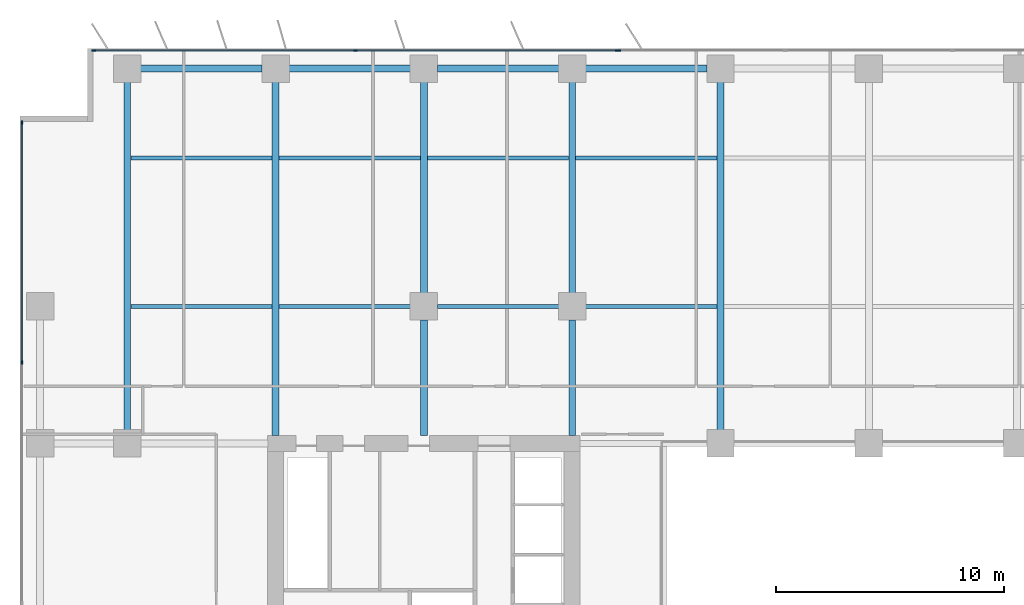
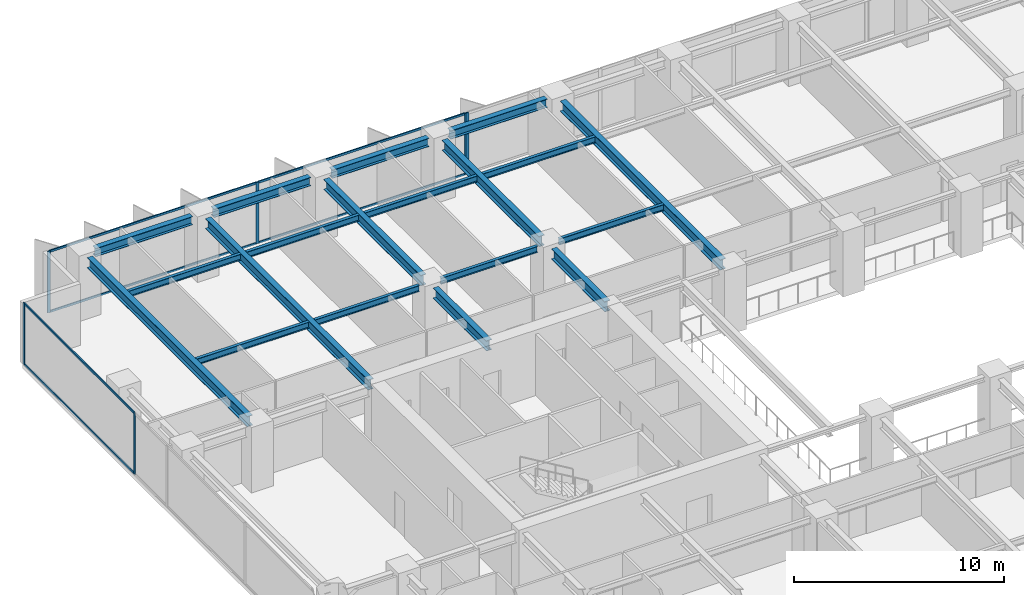
# One storey, part 7 of 20: 19 beams, 12 members, 3 elements without a shape of their own.
"""IFC4 building model written with IfcOpenShell, lengths in metres."""

import ifcopenshell
import ifcopenshell.guid

model = None  # the IFC model being written
_history = None  # IfcOwnerHistory: only IFC2X3 demands one
_inside = {}  # id of a spatial element -> (the spatial element, [elements in it])
_under = {}  # id of a project, library or spatial element -> (it, [spatial elements below it])
_declared = {}  # id of a project -> (the project, [libraries it declares])
_typed = {}  # id of a type object -> (the type object, [elements of that type])
_made_of = {}  # id of a material, layer set ... -> (it, [elements and type objects made of it])


def new_model(schema):
    """Start an empty IFC model of exactly this schema.

    Asked for "IFC4X3", IfcOpenShell would pick the latest addendum, in which some entities
    have other attributes; the version numbers below select the first issue.
    IFC2X3 requires an IfcOwnerHistory on every rooted entity: one is made here for all.
    """
    global model, _history
    if schema == "IFC4X3":
        model = ifcopenshell.file(schema_version=(4, 3, 0, 0))
    else:
        model = ifcopenshell.file(schema=schema)
    _inside.clear()
    _under.clear()
    _declared.clear()
    _typed.clear()
    _made_of.clear()
    _history = None
    if model.schema == "IFC2X3":
        org = make("IfcOrganization", Name="unknown")
        user = make(
            "IfcPersonAndOrganization",
            ThePerson=make("IfcPerson", FamilyName="unknown"),
            TheOrganization=org,
        )
        app = make(
            "IfcApplication",
            ApplicationDeveloper=org,
            Version="unknown",
            ApplicationFullName="unknown",
            ApplicationIdentifier="unknown",
        )
        _history = make(
            "IfcOwnerHistory",
            OwningUser=user,
            OwningApplication=app,
            ChangeAction="ADDED",
            CreationDate=0,
        )
    return model


def make(cls, **values):
    """One entity of the class cls with the attributes given. An attribute that is None is left unset."""
    return model.create_entity(
        cls, **{name: value for name, value in values.items() if value is not None}
    )


def rooted(cls, **values):
    """An entity with a GlobalId (a new one), such as an element, a storey or a relation."""
    return make(cls, GlobalId=ifcopenshell.guid.new(), OwnerHistory=_history, **values)


def si_unit(unit_type, name, prefix=None):
    """IfcSIUnit, for example si_unit("LENGTHUNIT", "METRE", prefix="MILLI")."""
    return make("IfcSIUnit", UnitType=unit_type, Prefix=prefix, Name=name)


def assignment(units):
    """IfcUnitAssignment: the units of a project."""
    return None if units is None else make("IfcUnitAssignment", Units=units)


def point(xyz):
    """IfcCartesianPoint."""
    return None if xyz is None else make("IfcCartesianPoint", Coordinates=xyz)


def direction(xyz):
    """IfcDirection."""
    return None if xyz is None else make("IfcDirection", DirectionRatios=xyz)


def frame(location, z_axis=None, x_axis=None):
    """IfcAxis2Placement3D, a coordinate frame: its origin and axes. An axis left out is left unset."""
    return make(
        "IfcAxis2Placement3D",
        Location=point(location),
        Axis=direction(z_axis),
        RefDirection=direction(x_axis),
    )


def frame_2d(location, x_axis=None):
    """IfcAxis2Placement2D, a coordinate frame in the plane: its origin and x axis."""
    return make(
        "IfcAxis2Placement2D", Location=point(location), RefDirection=direction(x_axis)
    )


def origin():
    """The frame at (0, 0, 0) with its axes left unset."""
    return frame((0.0, 0.0, 0.0))


def origin_2d():
    """The frame at (0, 0) in the plane with its x axis left unset."""
    return frame_2d((0.0, 0.0))


def place(relative_to, where):
    """IfcLocalPlacement: puts the frame where relative to a parent placement (None: the world)."""
    return make(
        "IfcLocalPlacement", PlacementRelTo=relative_to, RelativePlacement=where
    )


def context(
    kind, dimensions, precision=None, world=None, true_north=None, identifier=None
):
    """IfcGeometricRepresentationContext, for example the 3D "Model" context."""
    return make(
        "IfcGeometricRepresentationContext",
        ContextIdentifier=identifier,
        ContextType=kind,
        CoordinateSpaceDimension=dimensions,
        Precision=precision,
        WorldCoordinateSystem=world,
        TrueNorth=true_north,
    )


def subcontext(parent, identifier, kind, view, scale=None):
    """IfcGeometricRepresentationSubContext, for example "Body" below "Model"."""
    return make(
        "IfcGeometricRepresentationSubContext",
        ContextIdentifier=identifier,
        ContextType=kind,
        ParentContext=parent,
        TargetScale=scale,
        TargetView=view,
    )


def project(units=None, contexts=None):
    """IfcProject with its units and contexts."""
    return rooted(
        "IfcProject",
        Name="project",
        RepresentationContexts=contexts,
        UnitsInContext=assignment(units),
    )


def spatial(cls, under=None, at=None, **own):
    """A site, building, storey or space (cls), placed at a placement, below another one or the project."""
    s = rooted(cls, ObjectPlacement=at, **own)
    if under is not None:
        _under.setdefault(under.id(), (under, []))[1].append(s)
    return s


def profile(cls, at=None, kind="AREA", **sizes):
    """A parametric profile (cls). Its sizes go by their IFC names, for example OverallWidth=200.0."""
    return make(cls, ProfileType=kind, Position=at, **sizes)


def rectangle(**sizes):
    """IfcRectangleProfileDef."""
    return profile("IfcRectangleProfileDef", **sizes)


def i_section(**sizes):
    """IfcIShapeProfileDef."""
    return profile("IfcIShapeProfileDef", **sizes)


def extrude(swept, where, along, depth):
    """IfcExtrudedAreaSolid: the profile swept, set in the frame where, extruded along a direction by depth."""
    return make(
        "IfcExtrudedAreaSolid",
        SweptArea=swept,
        Position=where,
        ExtrudedDirection=direction(along),
        Depth=depth,
    )


def shape(context_of_items, identifier, shape_type, items):
    """IfcShapeRepresentation: the items that make up one representation, for example the "Body"."""
    return make(
        "IfcShapeRepresentation",
        ContextOfItems=context_of_items,
        RepresentationIdentifier=identifier,
        RepresentationType=shape_type,
        Items=items,
    )


def material(Name=None, Category=None):
    """IfcMaterial."""
    return make("IfcMaterial", Name=Name, Category=Category)


def layer(
    of_material, thickness, ventilated=None, Name=None, Category=None, Priority=None
):
    """IfcMaterialLayer: one layer of a wall or slab, of a material (None: an air gap)."""
    return make(
        "IfcMaterialLayer",
        Material=of_material,
        LayerThickness=thickness,
        IsVentilated=ventilated,
        Name=Name,
        Category=Category,
        Priority=Priority,
    )


def layer_set(layers, Name=None):
    """IfcMaterialLayerSet."""
    return make("IfcMaterialLayerSet", MaterialLayers=layers, LayerSetName=Name)


def material_profile(
    of_material, cross_section, Name=None, Category=None, Priority=None
):
    """IfcMaterialProfile: a cross section and its material."""
    return make(
        "IfcMaterialProfile",
        Name=Name,
        Material=of_material,
        Profile=cross_section,
        Priority=Priority,
        Category=Category,
    )


def profile_set(profiles, Name=None, composite=None):
    """IfcMaterialProfileSet."""
    return make(
        "IfcMaterialProfileSet",
        Name=Name,
        MaterialProfiles=profiles,
        CompositeProfile=composite,
    )


def made_of(thing, what):
    """Note that an element or type object is made of a material, layer set ...; save() writes the relation."""
    if what is not None:
        _made_of.setdefault(what.id(), (what, []))[1].append(thing)
    return thing


def type_object(cls, material=None, **own):
    """A type object (cls), such as IfcWallType, which elements share."""
    return made_of(rooted(cls, **own), material)


def element(
    cls,
    number,
    at=None,
    inside=None,
    cuts=None,
    type_object=None,
    material=None,
    context=None,
    identifier="Body",
    shape_type=None,
    held_by="IfcProductDefinitionShape",
    body=None,
    shapes=None,
    **own,
):
    """One element of the class cls, such as IfcWall. Its Tag is "e" and its number.

    at: its placement. inside: the storey or other place that contains it. cuts: it is an
    opening in that element (IfcRelVoidsElement). A single representation is given by context,
    identifier, shape_type and body (its items); several are given by shapes. held_by: the class
    of the entity that holds the representations. save() writes the other relations.
    """
    e = rooted(cls, Tag="e%d" % number, ObjectPlacement=at, **own)
    if body is not None:
        shapes = [shape(context, identifier, shape_type, body)]
    if shapes is not None:
        e.Representation = make(held_by, Representations=shapes)
    if inside is not None:
        _inside.setdefault(inside.id(), (inside, []))[1].append(e)
    if cuts is not None:
        rooted(
            "IfcRelVoidsElement", RelatingBuildingElement=cuts, RelatedOpeningElement=e
        )
    if type_object is not None:
        _typed.setdefault(type_object.id(), (type_object, []))[1].append(e)
    return made_of(e, material)


def aggregate(whole, parts):
    """IfcRelAggregates: a whole, such as a stair, and the parts it consists of."""
    return rooted("IfcRelAggregates", RelatingObject=whole, RelatedObjects=parts)


def save(model, path):
    """Write the relations noted so far, then the file.

    IfcRelAggregates (storeys below a building ...), IfcRelContainedInSpatialStructure (elements
    in a storey), IfcRelDefinesByType, IfcRelAssociatesMaterial and IfcRelDeclares: one each for
    every whole, place, type object, material and project.
    """
    for whole, parts in _under.values():
        aggregate(whole, parts)
    for where, things in _inside.values():
        rooted(
            "IfcRelContainedInSpatialStructure",
            RelatedElements=things,
            RelatingStructure=where,
        )
    for kind, things in _typed.values():
        rooted("IfcRelDefinesByType", RelatedObjects=things, RelatingType=kind)
    for what, things in _made_of.values():
        rooted("IfcRelAssociatesMaterial", RelatedObjects=things, RelatingMaterial=what)
    for by, libraries in _declared.values():
        rooted("IfcRelDeclares", RelatingContext=by, RelatedDefinitions=libraries)
    model.write(path)


model = new_model("IFC4")

# Units and contexts
model_context = context("Model", 3, precision=1e-05, world=origin(), true_north=direction((0.0, 1.0)))
body_context = subcontext(model_context, "Body", "Model", "MODEL_VIEW")
ifc_project = project(units=[si_unit("LENGTHUNIT", "METRE"), si_unit("AREAUNIT", "SQUARE_METRE"), si_unit("VOLUMEUNIT", "CUBIC_METRE"), si_unit("PLANEANGLEUNIT", "RADIAN"), si_unit("MASSUNIT", "GRAM", prefix="KILO")], contexts=[model_context])

# Site, building, storey
site_placement = place(None, origin())
site = spatial("IfcSite", under=ifc_project, at=site_placement, CompositionType="ELEMENT")
building_placement = place(site_placement, origin())
building = spatial("IfcBuilding", under=site, at=building_placement, Name="Putna Gate Headquarters", CompositionType="ELEMENT")
storey_placement = place(building_placement, frame((0.0, 0.0, 131.60009765625)))
storey = spatial("IfcBuildingStorey", under=building, at=storey_placement, Name="L32", CompositionType="ELEMENT", Elevation=131.60009765625)

# Beams
ifc_material_1 = material(Name="Steel S355J2", Category="steel")
ifc_material_profile_1 = material_profile(ifc_material_1, i_section(OverallWidth=0.300048828125, OverallDepth=0.60009765625, WebThickness=0.015380859375, FlangeThickness=0.030029296875, at=origin_2d()), Name="Steel S355J2")
ifc_profile_set_1 = profile_set([ifc_material_profile_1], Name="Steel S355J2")
beam_type_1 = type_object("IfcBeamType", Name="BM-GIRD-Z2-HEB600", PredefinedType="USERDEFINED", material=ifc_profile_set_1)
beam_1_placement = place(storey_placement, frame((6.5, 33.587890625, 3.264892578125), z_axis=(0.0, 1.0, 0.0), x_axis=(-1.0, 0.0, 0.0)))
element("IfcBeam", 1, at=beam_1_placement, inside=storey, type_object=beam_type_1, Name="L32 North Primary Girder X6", ObjectType="GIRDER", PredefinedType="USERDEFINED", context=body_context, shape_type="SweptSolid", body=[
    extrude(i_section(OverallWidth=0.300048828125, OverallDepth=0.60009765625, WebThickness=0.015380859375, FlangeThickness=0.030029296875, at=origin_2d()), origin(), (0.0, 0.0, 1.0), 15.244140625),
])
beam_2_placement = place(storey_placement, frame((13.0, 33.3349609375, 3.264892578125), z_axis=(0.0, 1.0, 0.0), x_axis=(-1.0, 0.0, 0.0)))
element("IfcBeam", 2, at=beam_2_placement, inside=storey, type_object=beam_type_1, Name="L32 North Primary Girder X13", ObjectType="GIRDER", PredefinedType="USERDEFINED", context=body_context, shape_type="SweptSolid", body=[
    extrude(i_section(OverallWidth=0.300048828125, OverallDepth=0.60009765625, WebThickness=0.015380859375, FlangeThickness=0.030029296875, at=origin_2d()), origin(), (0.0, 0.0, 1.0), 15.4970703125),
])
beam_3_placement = place(storey_placement, frame((19.5, 33.3349609375, 3.264892578125), z_axis=(0.0, 1.0, 0.0), x_axis=(-1.0, 0.0, 0.0)))
element("IfcBeam", 3, at=beam_3_placement, inside=storey, type_object=beam_type_1, Name="L32 North Primary Girder X19-1", ObjectType="GIRDER", PredefinedType="USERDEFINED", context=body_context, shape_type="SweptSolid", body=[
    extrude(i_section(OverallWidth=0.300048828125, OverallDepth=0.60009765625, WebThickness=0.015380859375, FlangeThickness=0.030029296875, at=origin_2d()), origin(), (0.0, 0.0, 1.0), 5.0771484375),
])
beam_4_placement = place(storey_placement, frame((19.5, 39.587890625, 3.264892578125), z_axis=(0.0, 1.0, 0.0), x_axis=(-1.0, 0.0, 0.0)))
element("IfcBeam", 4, at=beam_4_placement, inside=storey, type_object=beam_type_1, Name="L32 North Primary Girder X19-2", ObjectType="GIRDER", PredefinedType="USERDEFINED", context=body_context, shape_type="SweptSolid", body=[
    extrude(i_section(OverallWidth=0.300048828125, OverallDepth=0.60009765625, WebThickness=0.015380859375, FlangeThickness=0.030029296875, at=origin_2d()), origin(), (0.0, 0.0, 1.0), 9.244140625),
])
beam_5_placement = place(storey_placement, frame((26.0, 33.3349609375, 3.264892578125), z_axis=(0.0, 1.0, 0.0), x_axis=(-1.0, 0.0, 0.0)))
element("IfcBeam", 5, at=beam_5_placement, inside=storey, type_object=beam_type_1, Name="L32 North Primary Girder X26-1", ObjectType="GIRDER", PredefinedType="USERDEFINED", context=body_context, shape_type="SweptSolid", body=[
    extrude(i_section(OverallWidth=0.300048828125, OverallDepth=0.60009765625, WebThickness=0.015380859375, FlangeThickness=0.030029296875, at=origin_2d()), origin(), (0.0, 0.0, 1.0), 5.0771484375),
])
beam_6_placement = place(storey_placement, frame((26.0, 39.587890625, 3.264892578125), z_axis=(0.0, 1.0, 0.0), x_axis=(-1.0, 0.0, 0.0)))
element("IfcBeam", 6, at=beam_6_placement, inside=storey, type_object=beam_type_1, Name="L32 North Primary Girder X26-2", ObjectType="GIRDER", PredefinedType="USERDEFINED", context=body_context, shape_type="SweptSolid", body=[
    extrude(i_section(OverallWidth=0.300048828125, OverallDepth=0.60009765625, WebThickness=0.015380859375, FlangeThickness=0.030029296875, at=origin_2d()), origin(), (0.0, 0.0, 1.0), 9.244140625),
])
beam_7_placement = place(storey_placement, frame((32.5, 33.587890625, 3.264892578125), z_axis=(0.0, 1.0, 0.0), x_axis=(-1.0, 0.0, 0.0)))
element("IfcBeam", 7, at=beam_7_placement, inside=storey, type_object=beam_type_1, Name="L32 North Primary Girder X32", ObjectType="GIRDER", PredefinedType="USERDEFINED", context=body_context, shape_type="SweptSolid", body=[
    extrude(i_section(OverallWidth=0.300048828125, OverallDepth=0.60009765625, WebThickness=0.015380859375, FlangeThickness=0.030029296875, at=origin_2d()), origin(), (0.0, 0.0, 1.0), 15.244140625),
])
ifc_material_profile_2 = material_profile(ifc_material_1, i_section(OverallWidth=0.169921875, OverallDepth=0.360107421875, WebThickness=0.008056640625, FlangeThickness=0.0126953125, at=origin_2d()), Name="Steel S355J2")
ifc_profile_set_2 = profile_set([ifc_material_profile_2], Name="Steel S355J2")
beam_type_2 = type_object("IfcBeamType", Name="BM-SEC-Z2-IPE360", PredefinedType="BEAM", material=ifc_profile_set_2)
for number, where, z_axis, x_axis, name in (
    (8, (6.654052734375, 39.0, 3.385009765625), (1.0, 0.0, 0.0), (0.0, 1.0, 0.0), "L32 North Secondary Beam 1"),
    (9, (6.654052734375, 45.5, 3.385009765625), (1.0, 0.0, 0.0), (0.0, 1.0, 0.0), "L32 North Secondary Beam 1"),
):
    element("IfcBeam", number, at=place(storey_placement, frame(where, z_axis=z_axis, x_axis=x_axis)), inside=storey, type_object=beam_type_2, Name=name, PredefinedType="BEAM", context=body_context, shape_type="SweptSolid", body=[
        extrude(i_section(OverallWidth=0.169921875, OverallDepth=0.360107421875, WebThickness=0.008056640625, FlangeThickness=0.0126953125, at=origin_2d()), origin(), (0.0, 0.0, 1.0), 6.19189453125),
    ])
beam_8_placement = place(storey_placement, frame((13.154052734375, 39.0, 3.385009765625), z_axis=(1.0, 0.0, 0.0), x_axis=(0.0, 1.0, 0.0)))
element("IfcBeam", 10, at=beam_8_placement, inside=storey, type_object=beam_type_2, Name="L32 North Secondary Beam 2", PredefinedType="BEAM", context=body_context, shape_type="SweptSolid", body=[
    extrude(i_section(OverallWidth=0.169921875, OverallDepth=0.360107421875, WebThickness=0.008056640625, FlangeThickness=0.0126953125, at=origin_2d()), origin(), (0.0, 0.0, 1.0), 5.758056640625),
])
beam_9_placement = place(storey_placement, frame((13.154052734375, 45.5, 3.385009765625), z_axis=(1.0, 0.0, 0.0), x_axis=(0.0, 1.0, 0.0)))
element("IfcBeam", 11, at=beam_9_placement, inside=storey, type_object=beam_type_2, Name="L32 North Secondary Beam 2", PredefinedType="BEAM", context=body_context, shape_type="SweptSolid", body=[
    extrude(i_section(OverallWidth=0.169921875, OverallDepth=0.360107421875, WebThickness=0.008056640625, FlangeThickness=0.0126953125, at=origin_2d()), origin(), (0.0, 0.0, 1.0), 6.19189453125),
])
beam_10_placement = place(storey_placement, frame((20.087890625, 39.0, 3.385009765625), z_axis=(1.0, 0.0, 0.0), x_axis=(0.0, 1.0, 0.0)))
element("IfcBeam", 12, at=beam_10_placement, inside=storey, type_object=beam_type_2, Name="L32 North Secondary Beam 3", PredefinedType="BEAM", context=body_context, shape_type="SweptSolid", body=[
    extrude(i_section(OverallWidth=0.169921875, OverallDepth=0.360107421875, WebThickness=0.008056640625, FlangeThickness=0.0126953125, at=origin_2d()), origin(), (0.0, 0.0, 1.0), 5.32421875),
])
beam_11_placement = place(storey_placement, frame((19.654052734375, 45.5, 3.385009765625), z_axis=(1.0, 0.0, 0.0), x_axis=(0.0, 1.0, 0.0)))
element("IfcBeam", 13, at=beam_11_placement, inside=storey, type_object=beam_type_2, Name="L32 North Secondary Beam 3", PredefinedType="BEAM", context=body_context, shape_type="SweptSolid", body=[
    extrude(i_section(OverallWidth=0.169921875, OverallDepth=0.360107421875, WebThickness=0.008056640625, FlangeThickness=0.0126953125, at=origin_2d()), origin(), (0.0, 0.0, 1.0), 6.19189453125),
])
beam_12_placement = place(storey_placement, frame((26.587890625, 39.0, 3.385009765625), z_axis=(1.0, 0.0, 0.0), x_axis=(0.0, 1.0, 0.0)))
element("IfcBeam", 14, at=beam_12_placement, inside=storey, type_object=beam_type_2, Name="L32 North Secondary Beam 4", PredefinedType="BEAM", context=body_context, shape_type="SweptSolid", body=[
    extrude(i_section(OverallWidth=0.169921875, OverallDepth=0.360107421875, WebThickness=0.008056640625, FlangeThickness=0.0126953125, at=origin_2d()), origin(), (0.0, 0.0, 1.0), 5.758056640625),
])
beam_13_placement = place(storey_placement, frame((26.154052734375, 45.5, 3.385009765625), z_axis=(1.0, 0.0, 0.0), x_axis=(0.0, 1.0, 0.0)))
element("IfcBeam", 15, at=beam_13_placement, inside=storey, type_object=beam_type_2, Name="L32 North Secondary Beam 4", PredefinedType="BEAM", context=body_context, shape_type="SweptSolid", body=[
    extrude(i_section(OverallWidth=0.169921875, OverallDepth=0.360107421875, WebThickness=0.008056640625, FlangeThickness=0.0126953125, at=origin_2d()), origin(), (0.0, 0.0, 1.0), 6.19189453125),
])
ifc_material_profile_3 = material_profile(ifc_material_1, i_section(OverallWidth=0.300048828125, OverallDepth=0.489990234375, WebThickness=0.011962890625, FlangeThickness=0.02294921875, at=origin_2d()), Name="Steel S355J2")
ifc_profile_set_3 = profile_set([ifc_material_profile_3], Name="Steel S355J2")
beam_type_3 = type_object("IfcBeamType", Name="BM-SPAN-Z2-HEA500", PredefinedType="SPANDREL", material=ifc_profile_set_3)
for number, where, z_axis, x_axis, name in (
    (16, (7.087890625, 49.419921875, 3.31982421875), (1.0, 0.0, 0.0), (0.0, 1.0, 0.0), "L32 N Perimeter Spandrel 1"),
    (17, (13.587890625, 49.419921875, 3.31982421875), (1.0, 0.0, 0.0), (0.0, 1.0, 0.0), "L32 N Perimeter Spandrel 2"),
    (18, (20.087890625, 49.419921875, 3.31982421875), (1.0, 0.0, 0.0), (0.0, 1.0, 0.0), "L32 N Perimeter Spandrel 3"),
    (19, (26.587890625, 49.419921875, 3.31982421875), (1.0, 0.0, 0.0), (0.0, 1.0, 0.0), "L32 N Perimeter Spandrel 4"),
):
    element("IfcBeam", number, at=place(storey_placement, frame(where, z_axis=z_axis, x_axis=x_axis)), inside=storey, type_object=beam_type_3, Name=name, PredefinedType="SPANDREL", context=body_context, shape_type="SweptSolid", body=[
        extrude(i_section(OverallWidth=0.300048828125, OverallDepth=0.489990234375, WebThickness=0.011962890625, FlangeThickness=0.02294921875, at=origin_2d()), origin(), (0.0, 0.0, 1.0), 5.32421875),
    ])

# Curtain wall, members
ifc_material_2 = material(Name="Anodised bronze aluminium curtain wall", Category="aluminium")
ifc_layer_1 = layer(ifc_material_2, 0.159912109375)
ifc_layer_set_1 = layer_set([ifc_layer_1], Name="Anodised bronze aluminium curtain wall")
curtain_wall_type_1 = type_object("IfcCurtainWallType", Name="CW-SYS-Z2", PredefinedType="USERDEFINED", material=ifc_layer_set_1)
curtain_wall_1_placement = place(storey_placement, origin())
curtain_wall_1 = element("IfcCurtainWall", 20, at=curtain_wall_1_placement, inside=storey, type_object=curtain_wall_type_1, Name="L32 North West Curtain Wall", ObjectType="STICK CURTAIN WALL", PredefinedType="USERDEFINED")
ifc_material_3 = material(Name="Anodised bronze aluminium EN AW-6060", Category="aluminium")
ifc_material_profile_4 = material_profile(ifc_material_3, rectangle(XDim=0.06494140625, YDim=0.159912109375, at=origin_2d()), Name="Anodised bronze aluminium EN AW-6060")
ifc_profile_set_4 = profile_set([ifc_material_profile_4], Name="Anodised bronze aluminium EN AW-6060")
member_type_1 = type_object("IfcMemberType", Name="MULL-CWM-2", PredefinedType="MULLION", material=ifc_profile_set_4)
member_1_placement = place(storey_placement, frame((5.032470703125, 50.219970703125, 0.0), z_axis=(0.0, 0.0, 1.0), x_axis=(0.0, 1.0, 0.0)))
member_1 = element("IfcMember", 21, at=member_1_placement, type_object=member_type_1, Name="CWS-2 mullion 1", PredefinedType="MULLION", context=body_context, shape_type="SweptSolid", body=[
    extrude(rectangle(XDim=0.06494140625, YDim=0.159912109375, at=origin_2d()), origin(), (0.0, 0.0, 1.0), 3.56494140625),
])
member_2_placement = place(storey_placement, frame((16.5, 50.219970703125, 0.0), z_axis=(0.0, 0.0, 1.0), x_axis=(0.0, 1.0, 0.0)))
member_2 = element("IfcMember", 22, at=member_2_placement, type_object=member_type_1, Name="CWS-2 mullion 2", PredefinedType="MULLION", context=body_context, shape_type="SweptSolid", body=[
    extrude(rectangle(XDim=0.06494140625, YDim=0.159912109375, at=origin_2d()), origin(), (0.0, 0.0, 1.0), 3.56494140625),
])
member_3_placement = place(storey_placement, frame((27.967529296875, 50.219970703125, 0.0), z_axis=(0.0, 0.0, 1.0), x_axis=(0.0, 1.0, 0.0)))
member_3 = element("IfcMember", 23, at=member_3_placement, type_object=member_type_1, Name="CWS-2 mullion 3", PredefinedType="MULLION", context=body_context, shape_type="SweptSolid", body=[
    extrude(rectangle(XDim=0.06494140625, YDim=0.159912109375, at=origin_2d()), origin(), (0.0, 0.0, 1.0), 3.56494140625),
])

curtain_wall_2_placement = place(storey_placement, origin())
curtain_wall_2 = element("IfcCurtainWall", 24, at=curtain_wall_2_placement, inside=storey, type_object=curtain_wall_type_1, Name="L32 West Curtain Wall", ObjectType="STICK CURTAIN WALL", PredefinedType="USERDEFINED")
member_4_placement = place(storey_placement, frame((1.8798828125, 36.550048828125, 0.0), z_axis=(0.0, 0.0, 1.0), x_axis=(-1.0, 0.0, 0.0)))
member_4 = element("IfcMember", 25, at=member_4_placement, type_object=member_type_1, Name="CWS-2 mullion 4", PredefinedType="MULLION", context=body_context, shape_type="SweptSolid", body=[
    extrude(rectangle(XDim=0.06494140625, YDim=0.159912109375, at=origin_2d()), origin(), (0.0, 0.0, 1.0), 3.56494140625),
])
member_5_placement = place(storey_placement, frame((1.8798828125, 47.0673828125, 0.0), z_axis=(0.0, 0.0, 1.0), x_axis=(-1.0, 0.0, 0.0)))
member_5 = element("IfcMember", 26, at=member_5_placement, type_object=member_type_1, Name="CWS-2 mullion 5", PredefinedType="MULLION", context=body_context, shape_type="SweptSolid", body=[
    extrude(rectangle(XDim=0.06494140625, YDim=0.159912109375, at=origin_2d()), origin(), (0.0, 0.0, 1.0), 3.56494140625),
])

# Curtain wall, member
ifc_layer_2 = layer(ifc_material_2, 0.179931640625)
ifc_layer_set_2 = layer_set([ifc_layer_2], Name="Anodised bronze aluminium curtain wall")
curtain_wall_type_2 = type_object("IfcCurtainWallType", Name="CW-SYS-ATR", PredefinedType="USERDEFINED", material=ifc_layer_set_2)
curtain_wall_3_placement = place(storey_placement, origin())
curtain_wall_3 = element("IfcCurtainWall", 27, at=curtain_wall_3_placement, inside=storey, type_object=curtain_wall_type_2, Name="L32 North Atrium Clear Glazing", ObjectType="ATRIUM GLAZING", PredefinedType="USERDEFINED")
ifc_material_profile_5 = material_profile(ifc_material_3, rectangle(XDim=0.070068359375, YDim=0.179931640625, at=origin_2d()), Name="Anodised bronze aluminium EN AW-6060")
ifc_profile_set_5 = profile_set([ifc_material_profile_5], Name="Anodised bronze aluminium EN AW-6060")
member_type_2 = type_object("IfcMemberType", Name="MULL-CWM-AT", PredefinedType="MULLION", material=ifc_profile_set_5)
member_6_placement = place(storey_placement, frame((28.034912109375, 50.219970703125, 0.0), z_axis=(0.0, 0.0, 1.0), x_axis=(0.0, 1.0, 0.0)))
member_6 = element("IfcMember", 28, at=member_6_placement, type_object=member_type_2, Name="CWS-AT mullion 1", PredefinedType="MULLION", context=body_context, shape_type="SweptSolid", body=[
    extrude(rectangle(XDim=0.070068359375, YDim=0.179931640625, at=origin_2d()), origin(), (0.0, 0.0, 1.0), 3.56494140625),
])
aggregate(curtain_wall_3, [member_6])

# Member
ifc_material_profile_6 = material_profile(ifc_material_3, rectangle(XDim=0.06494140625, YDim=0.1201171875, at=origin_2d()), Name="Anodised bronze aluminium EN AW-6060")
ifc_profile_set_6 = profile_set([ifc_material_profile_6], Name="Anodised bronze aluminium EN AW-6060")
member_type_3 = type_object("IfcMemberType", Name="TRAN-CWT-2", PredefinedType="USERDEFINED", material=ifc_profile_set_6)
member_7_placement = place(storey_placement, frame((5.06494140625, 50.219970703125, 0.032470703125), z_axis=(1.0, 0.0, 0.0), x_axis=(0.0, 1.0, 0.0)))
member_7 = element("IfcMember", 29, at=member_7_placement, type_object=member_type_3, Name="CWS-2 transom 1.1", ObjectType="TRANSOM", PredefinedType="USERDEFINED", context=body_context, shape_type="SweptSolid", body=[
    extrude(rectangle(XDim=0.06494140625, YDim=0.1201171875, at=origin_2d()), origin(), (0.0, 0.0, 1.0), 11.402587890625),
])

member_8_placement = place(storey_placement, frame((5.06494140625, 50.219970703125, 3.532470703125), z_axis=(1.0, 0.0, 0.0), x_axis=(0.0, 1.0, 0.0)))
member_8 = element("IfcMember", 30, at=member_8_placement, type_object=member_type_3, Name="CWS-2 transom 1.2", ObjectType="TRANSOM", PredefinedType="USERDEFINED", context=body_context, shape_type="SweptSolid", body=[
    extrude(rectangle(XDim=0.06494140625, YDim=0.1201171875, at=origin_2d()), origin(), (0.0, 0.0, 1.0), 11.402587890625),
])

member_9_placement = place(storey_placement, frame((16.532470703125, 50.219970703125, 0.032470703125), z_axis=(1.0, 0.0, 0.0), x_axis=(0.0, 1.0, 0.0)))
member_9 = element("IfcMember", 31, at=member_9_placement, type_object=member_type_3, Name="CWS-2 transom 2.1", ObjectType="TRANSOM", PredefinedType="USERDEFINED", context=body_context, shape_type="SweptSolid", body=[
    extrude(rectangle(XDim=0.06494140625, YDim=0.1201171875, at=origin_2d()), origin(), (0.0, 0.0, 1.0), 11.402587890625),
])

member_10_placement = place(storey_placement, frame((16.532470703125, 50.219970703125, 3.532470703125), z_axis=(1.0, 0.0, 0.0), x_axis=(0.0, 1.0, 0.0)))
member_10 = element("IfcMember", 32, at=member_10_placement, type_object=member_type_3, Name="CWS-2 transom 2.2", ObjectType="TRANSOM", PredefinedType="USERDEFINED", context=body_context, shape_type="SweptSolid", body=[
    extrude(rectangle(XDim=0.06494140625, YDim=0.1201171875, at=origin_2d()), origin(), (0.0, 0.0, 1.0), 11.402587890625),
])

aggregate(curtain_wall_1, [member_1, member_2, member_3, member_7, member_8, member_9, member_10])

member_11_placement = place(storey_placement, frame((1.8798828125, 36.58251953125, 0.032470703125), z_axis=(0.0, 1.0, 0.0), x_axis=(-1.0, 0.0, 0.0)))
member_11 = element("IfcMember", 33, at=member_11_placement, type_object=member_type_3, Name="CWS-2 transom 4.1", ObjectType="TRANSOM", PredefinedType="USERDEFINED", context=body_context, shape_type="SweptSolid", body=[
    extrude(rectangle(XDim=0.06494140625, YDim=0.1201171875, at=origin_2d()), origin(), (0.0, 0.0, 1.0), 10.452392578125),
])

member_12_placement = place(storey_placement, frame((1.8798828125, 36.58251953125, 3.532470703125), z_axis=(0.0, 1.0, 0.0), x_axis=(-1.0, 0.0, 0.0)))
member_12 = element("IfcMember", 34, at=member_12_placement, type_object=member_type_3, Name="CWS-2 transom 4.2", ObjectType="TRANSOM", PredefinedType="USERDEFINED", context=body_context, shape_type="SweptSolid", body=[
    extrude(rectangle(XDim=0.06494140625, YDim=0.1201171875, at=origin_2d()), origin(), (0.0, 0.0, 1.0), 10.452392578125),
])

aggregate(curtain_wall_2, [member_4, member_5, member_11, member_12])

save(model, "model.ifc")
